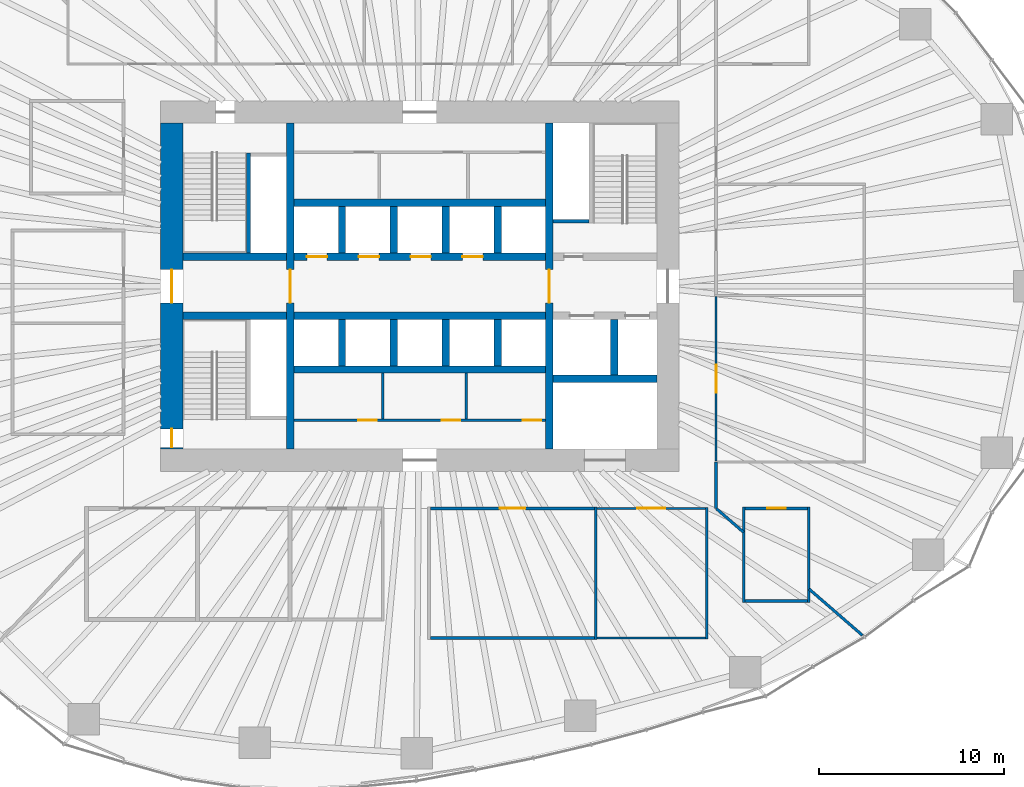
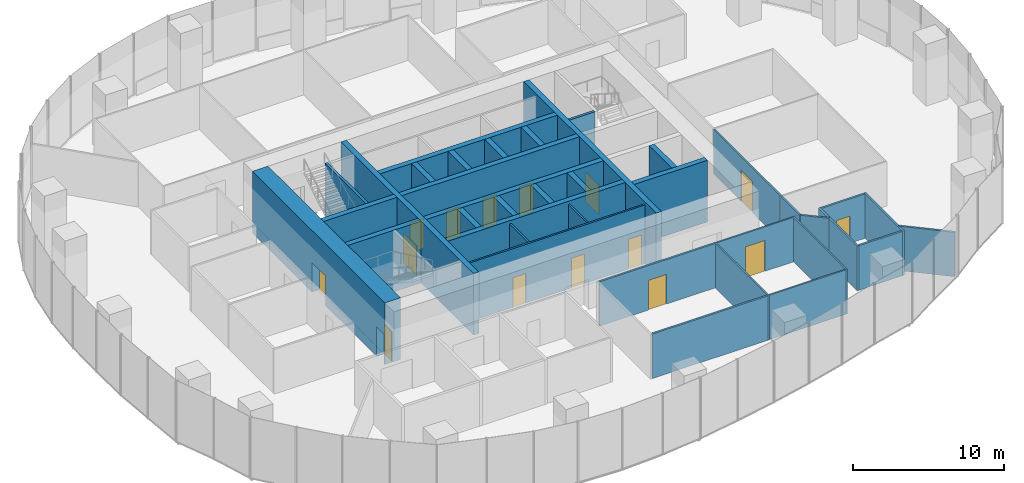
# One storey, part 10 of 20: 38 walls, 15 doors, 15 openings.
"""IFC4 building model written with IfcOpenShell, lengths in metres."""

from ifc_helpers import new_model, si_unit, direction, frame, frame_2d, origin, place, context, subcontext, project, spatial, rectangle, extrude, material, layer, layer_set, type_object, element, fill, save


model = new_model("IFC4")

# Units and contexts
model_context = context("Model", 3, precision=1e-05, world=origin(), true_north=direction((0.0, 1.0)))
body_context = subcontext(model_context, "Body", "Model", "MODEL_VIEW")
ifc_project = project(units=[si_unit("LENGTHUNIT", "METRE"), si_unit("AREAUNIT", "SQUARE_METRE"), si_unit("VOLUMEUNIT", "CUBIC_METRE"), si_unit("PLANEANGLEUNIT", "RADIAN"), si_unit("MASSUNIT", "GRAM", prefix="KILO")], contexts=[model_context])

# Site, building, storey
site_placement = place(None, origin())
site = spatial("IfcSite", under=ifc_project, at=site_placement, CompositionType="ELEMENT")
building_placement = place(site_placement, origin())
building = spatial("IfcBuilding", under=site, at=building_placement, Name="Ghaith Harvest Tower", CompositionType="ELEMENT")
storey_placement = place(building_placement, frame((0.0, 0.0, 60.0)))
storey = spatial("IfcBuildingStorey", under=building, at=storey_placement, Name="L12", CompositionType="ELEMENT", Elevation=60.0)

# Wall, openings, doors
ifc_material_1 = material(Name="Concrete blockwork, fair-faced", Category="masonry")
ifc_layer_1 = layer(ifc_material_1, 0.139892578125)
ifc_layer_set_1 = layer_set([ifc_layer_1], Name="CORE PARTITION 140")
wall_type_1 = type_object("IfcWallType", Name="CORE PARTITION 140", PredefinedType="PARTITIONING", material=ifc_layer_set_1)
wall_1_placement = place(storey_placement, frame((-6.800048828125, -7.22998046875, 0.0), z_axis=(0.0, 0.0, 1.0), x_axis=(1.0, 0.0, 0.0)))
wall_1 = element("IfcWall", 1, at=wall_1_placement, inside=storey, type_object=wall_type_1, Name="Core partition L12", PredefinedType="PARTITIONING", context=body_context, shape_type="SweptSolid", body=[
    extrude(rectangle(XDim=13.60009765625, YDim=0.139892578125, at=frame_2d((6.800048828125, 0.0))), origin(), (0.0, 0.0, 1.0), 4.75),
])
opening_1_placement = place(wall_1_placement, frame((3.47998046875, 0.0, 0.0)))
opening_1 = element("IfcOpeningElement", 2, at=opening_1_placement, cuts=wall_1, Name="Opening 12-011", PredefinedType="OPENING", context=body_context, shape_type="SweptSolid", body=[
    extrude(rectangle(XDim=1.0, YDim=2.39990234375, at=frame_2d((0.5, 1.199951171875))), frame((0.0, 0.080078125, 0.0), z_axis=(0.0, -1.0, 0.0), x_axis=(1.0, 0.0, 0.0)), (0.0, 0.0, 1.0), 0.159912109375),
])
opening_2_placement = place(wall_1_placement, frame((7.97998046875, 0.0, 0.0)))
opening_2 = element("IfcOpeningElement", 3, at=opening_2_placement, cuts=wall_1, Name="Opening 12-012", PredefinedType="OPENING", context=body_context, shape_type="SweptSolid", body=[
    extrude(rectangle(XDim=1.0, YDim=2.39990234375, at=frame_2d((0.5, 1.199951171875))), frame((0.0, 0.080078125, 0.0), z_axis=(0.0, -1.0, 0.0), x_axis=(1.0, 0.0, 0.0)), (0.0, 0.0, 1.0), 0.159912109375),
])
opening_3_placement = place(wall_1_placement, frame((12.35009765625, 0.0, 0.0)))
opening_3 = element("IfcOpeningElement", 4, at=opening_3_placement, cuts=wall_1, Name="Opening 12-013", PredefinedType="OPENING", context=body_context, shape_type="SweptSolid", body=[
    extrude(rectangle(XDim=1.0, YDim=2.39990234375, at=frame_2d((0.5, 1.199951171875))), frame((0.0, 0.080078125, 0.0), z_axis=(0.0, -1.0, 0.0), x_axis=(1.0, 0.0, 0.0)), (0.0, 0.0, 1.0), 0.159912109375),
])
ifc_material_2 = material(Name="Steel fire door", Category="steel")
door_type_1 = type_object("IfcDoorType", Name="D3 FD90 1000x2400", OperationType="SINGLE_SWING_LEFT", PredefinedType="DOOR", material=ifc_material_2)
door_1_placement = place(opening_1_placement, origin())
door_1 = element("IfcDoor", 5, at=door_1_placement, inside=storey, type_object=door_type_1, Name="Electrical room door", OperationType="SINGLE_SWING_LEFT", OverallHeight=2.39990234375, OverallWidth=1.0, PredefinedType="DOOR", context=body_context, shape_type="SweptSolid", body=[
    extrude(rectangle(XDim=1.0, YDim=2.39990234375, at=frame_2d((0.5, 1.199951171875))), frame((0.0, 0.02490234375, 0.0), z_axis=(0.0, -1.0, 0.0), x_axis=(1.0, 0.0, 0.0)), (0.0, 0.0, 1.0), 0.050048828125),
])
fill(opening_1, door_1)
door_2_placement = place(opening_2_placement, origin())
door_2 = element("IfcDoor", 6, at=door_2_placement, inside=storey, type_object=door_type_1, Name="Communications equipment room door", OperationType="SINGLE_SWING_RIGHT", OverallHeight=2.39990234375, OverallWidth=1.0, PredefinedType="DOOR", context=body_context, shape_type="SweptSolid", body=[
    extrude(rectangle(XDim=1.0, YDim=2.39990234375, at=frame_2d((0.5, 1.199951171875))), frame((0.0, 0.02490234375, 0.0), z_axis=(0.0, -1.0, 0.0), x_axis=(1.0, 0.0, 0.0)), (0.0, 0.0, 1.0), 0.050048828125),
])
fill(opening_2, door_2)
door_3_placement = place(opening_3_placement, origin())
door_3 = element("IfcDoor", 7, at=door_3_placement, inside=storey, type_object=door_type_1, Name="Riser room door", OperationType="SINGLE_SWING_RIGHT", OverallHeight=2.39990234375, OverallWidth=1.0, PredefinedType="DOOR", context=body_context, shape_type="SweptSolid", body=[
    extrude(rectangle(XDim=1.0, YDim=2.39990234375, at=frame_2d((0.5, 1.199951171875))), frame((0.0, 0.02490234375, 0.0), z_axis=(0.0, -1.0, 0.0), x_axis=(1.0, 0.0, 0.0)), (0.0, 0.0, 1.0), 0.050048828125),
])
fill(opening_3, door_3)

# Walls
for number, where, z_axis, x_axis, name in (
    (8, (-2.0, -4.699951171875, 0.0), (0.0, 0.0, 1.0), (0.0, -1.0, 0.0), "Core partition L12"),
    (9, (2.5, -4.699951171875, 0.0), (0.0, 0.0, 1.0), (0.0, -1.0, 0.0), "Core partition L12"),
):
    element("IfcWall", number, at=place(storey_placement, frame(where, z_axis=z_axis, x_axis=x_axis)), inside=storey, type_object=wall_type_1, Name=name, PredefinedType="PARTITIONING", context=body_context, shape_type="SweptSolid", body=[
        extrude(rectangle(XDim=2.4599609375, YDim=0.139892578125, at=frame_2d((1.22998046875, 0.0))), origin(), (0.0, 0.0, 1.0), 4.75),
    ])

# Wall, openings, doors
ifc_material_3 = material(Name="Concrete C70/85", Category="concrete")
ifc_layer_2 = layer(ifc_material_3, 1.199951171875)
ifc_layer_set_2 = layer_set([ifc_layer_2], Name="CORE WALL CW1200")
wall_type_2 = type_object("IfcWallType", Name="CORE WALL CW1200", PredefinedType="SHEAR", material=ifc_layer_set_2)
wall_2_placement = place(storey_placement, frame((-13.39990234375, 8.800048828125, 0.0), z_axis=(0.0, 0.0, 1.0), x_axis=(0.0, -1.0, 0.0)))
wall_2 = element("IfcWall", 10, at=wall_2_placement, inside=storey, type_object=wall_type_2, Name="Core wall W L12", PredefinedType="SHEAR", context=body_context, shape_type="SweptSolid", body=[
    extrude(rectangle(XDim=17.60009765625, YDim=1.199951171875, at=frame_2d((8.800048828125, 0.0))), origin(), (0.0, 0.0, 1.0), 5.0),
])
opening_4_placement = place(wall_2_placement, frame((7.89990234375, 0.0, 0.0)))
opening_4 = element("IfcOpeningElement", 11, at=opening_4_placement, cuts=wall_2, Name="Opening 12-001", PredefinedType="OPENING", context=body_context, shape_type="SweptSolid", body=[
    extrude(rectangle(XDim=1.800048828125, YDim=2.39990234375, at=frame_2d((0.89990234375, 1.199951171875))), frame((0.0, 0.60986328125, 0.0), z_axis=(0.0, -1.0, 0.0), x_axis=(1.0, 0.0, 0.0)), (0.0, 0.0, 1.0), 1.219970703125),
])
opening_5_placement = place(wall_2_placement, frame((16.5, 0.0, 0.0)))
opening_5 = element("IfcOpeningElement", 12, at=opening_5_placement, cuts=wall_2, Name="Opening 12-006", PredefinedType="OPENING", context=body_context, shape_type="SweptSolid", body=[
    extrude(rectangle(XDim=1.0, YDim=2.39990234375, at=frame_2d((0.5, 1.199951171875))), frame((0.0, 0.60986328125, 0.0), z_axis=(0.0, -1.0, 0.0), x_axis=(1.0, 0.0, 0.0)), (0.0, 0.0, 1.0), 1.219970703125),
])
door_4_placement = place(opening_5_placement, origin())
door_4 = element("IfcDoor", 13, at=door_4_placement, inside=storey, type_object=door_type_1, Name="Stair ST3 door", OperationType="SINGLE_SWING_RIGHT", OverallHeight=2.39990234375, OverallWidth=1.0, PredefinedType="DOOR", context=body_context, shape_type="SweptSolid", body=[
    extrude(rectangle(XDim=1.0, YDim=2.39990234375, at=frame_2d((0.5, 1.199951171875))), frame((0.0, 0.02490234375, 0.0), z_axis=(0.0, -1.0, 0.0), x_axis=(1.0, 0.0, 0.0)), (0.0, 0.0, 1.0), 0.050048828125),
])
fill(opening_5, door_4)
ifc_material_4 = material(Name="Steel fire door", Category="steel")
door_type_2 = type_object("IfcDoorType", Name="D4 FD90 PAIR 1800x2400", OperationType="DOUBLE_DOOR_SINGLE_SWING", PredefinedType="DOOR", material=ifc_material_4)
door_5_placement = place(opening_4_placement, origin())
door_5 = element("IfcDoor", 14, at=door_5_placement, inside=storey, type_object=door_type_2, Name="West lobby doors", OperationType="DOUBLE_DOOR_SINGLE_SWING", OverallHeight=2.39990234375, OverallWidth=1.800048828125, PredefinedType="DOOR", context=body_context, shape_type="SweptSolid", body=[
    extrude(rectangle(XDim=1.800048828125, YDim=2.39990234375, at=frame_2d((0.89990234375, 1.199951171875))), frame((0.0, 0.02490234375, 0.0), z_axis=(0.0, -1.0, 0.0), x_axis=(1.0, 0.0, 0.0)), (0.0, 0.0, 1.0), 0.050048828125),
])
fill(opening_4, door_5)

# Wall, opening, door
ifc_material_5 = material(Name="Insulated food-grade panel", Category="steel")
ifc_layer_3 = layer(ifc_material_5, 0.1201171875)
ifc_layer_set_3 = layer_set([ifc_layer_3], Name="INSULATED PANEL WALL 120")
wall_type_3 = type_object("IfcWallType", Name="INSULATED PANEL WALL 120", PredefinedType="PARTITIONING", material=ifc_layer_set_3)
wall_3_placement = place(storey_placement, frame((16.0, -9.43994140625, 0.0), z_axis=(0.0, 0.0, 1.0), x_axis=(0.0, 1.0, 0.0)))
wall_3 = element("IfcWall", 15, at=wall_3_placement, inside=storey, type_object=wall_type_3, Name="Partition L12-05", PredefinedType="PARTITIONING", context=body_context, shape_type="SweptSolid", body=[
    extrude(rectangle(XDim=8.8798828125, YDim=0.1201171875, at=frame_2d((4.43994140625, 0.0))), origin(), (0.0, 0.0, 1.0), 3.60009765625),
])
opening_6_placement = place(wall_3_placement, frame((3.68994140625, 0.0, 0.0)))
opening_6 = element("IfcOpeningElement", 16, at=opening_6_placement, cuts=wall_3, Name="Opening 12-027", PredefinedType="OPENING", context=body_context, shape_type="SweptSolid", body=[
    extrude(rectangle(XDim=1.5, YDim=2.5, at=frame_2d((0.75, 1.25))), frame((0.0, 0.070068359375, 0.0), z_axis=(0.0, -1.0, 0.0), x_axis=(1.0, 0.0, 0.0)), (0.0, 0.0, 1.0), 0.14013671875),
])
ifc_material_6 = material(Name="Insulated steel sliding door", Category="steel")
door_type_3 = type_object("IfcDoorType", Name="D13 COLD STORE SLIDING 1500x2500", OperationType="SLIDING_TO_LEFT", PredefinedType="DOOR", material=ifc_material_6)
door_6_placement = place(opening_6_placement, origin())
door_6 = element("IfcDoor", 17, at=door_6_placement, inside=storey, type_object=door_type_3, Name="Herb growing room door", OperationType="SLIDING_TO_LEFT", OverallHeight=2.5, OverallWidth=1.5, PredefinedType="DOOR", context=body_context, shape_type="SweptSolid", body=[
    extrude(rectangle(XDim=1.5, YDim=2.5, at=frame_2d((0.75, 1.25))), frame((0.0, 0.02490234375, 0.0), z_axis=(0.0, -1.0, 0.0), x_axis=(1.0, 0.0, 0.0)), (0.0, 0.0, 1.0), 0.050048828125),
])
fill(opening_6, door_6)

# Walls
wall_4_placement = place(storey_placement, frame((9.5, -11.925048828125, 0.0), z_axis=(0.0, 0.0, 1.0), x_axis=(0.0, -1.0, 0.0)))
element("IfcWall", 18, at=wall_4_placement, inside=storey, type_object=wall_type_3, Name="Partition L12 row S6 cross wall 2", PredefinedType="PARTITIONING", context=body_context, shape_type="SweptSolid", body=[
    extrude(rectangle(XDim=7.14990234375, YDim=0.1201171875, at=frame_2d((3.574951171875, 0.0))), origin(), (0.0, 0.0, 1.0), 3.60009765625),
])
wall_5_placement = place(storey_placement, frame((15.5, -11.93994140625, 0.0), z_axis=(0.0, 0.0, 1.0), x_axis=(0.0, -1.0, 0.0)))
element("IfcWall", 19, at=wall_5_placement, inside=storey, type_object=wall_type_3, Name="Partition L12 row S6 cross wall 3", PredefinedType="PARTITIONING", context=body_context, shape_type="SweptSolid", body=[
    extrude(rectangle(XDim=7.1201171875, YDim=0.1201171875, at=frame_2d((3.56005859375, 0.0))), origin(), (0.0, 0.0, 1.0), 3.60009765625),
])

# Wall, opening, door
wall_6_placement = place(storey_placement, frame((9.56005859375, -12.0, 0.0), z_axis=(0.0, 0.0, 1.0), x_axis=(1.0, 0.0, 0.0)))
wall_6 = element("IfcWall", 20, at=wall_6_placement, inside=storey, type_object=wall_type_3, Name="Partition L12-13", PredefinedType="PARTITIONING", context=body_context, shape_type="SweptSolid", body=[
    extrude(rectangle(XDim=5.8798828125, YDim=0.1201171875, at=frame_2d((2.93994140625, 0.0))), origin(), (0.0, 0.0, 1.0), 3.60009765625),
])
opening_7_placement = place(wall_6_placement, frame((2.18994140625, 0.0, 0.0)))
opening_7 = element("IfcOpeningElement", 21, at=opening_7_placement, cuts=wall_6, Name="Opening 12-035", PredefinedType="OPENING", context=body_context, shape_type="SweptSolid", body=[
    extrude(rectangle(XDim=1.5, YDim=2.5, at=frame_2d((0.75, 1.25))), frame((0.0, 0.070068359375, 0.0), z_axis=(0.0, -1.0, 0.0), x_axis=(1.0, 0.0, 0.0)), (0.0, 0.0, 1.0), 0.14013671875),
])
door_7_placement = place(opening_7_placement, origin())
door_7 = element("IfcDoor", 22, at=door_7_placement, inside=storey, type_object=door_type_3, Name="Cold store door", OperationType="SLIDING_TO_LEFT", OverallHeight=2.5, OverallWidth=1.5, PredefinedType="DOOR", context=body_context, shape_type="SweptSolid", body=[
    extrude(rectangle(XDim=1.5, YDim=2.5, at=frame_2d((0.75, 1.25))), frame((0.0, 0.02490234375, 0.0), z_axis=(0.0, -1.0, 0.0), x_axis=(1.0, 0.0, 0.0)), (0.0, 0.0, 1.0), 0.050048828125),
])
fill(opening_7, door_7)

# Wall
wall_7_placement = place(storey_placement, frame((9.56005859375, -19.0, 0.0), z_axis=(0.0, 0.0, 1.0), x_axis=(1.0, 0.0, 0.0)))
element("IfcWall", 23, at=wall_7_placement, inside=storey, type_object=wall_type_3, Name="Partition L12-13", PredefinedType="PARTITIONING", context=body_context, shape_type="SweptSolid", body=[
    extrude(rectangle(XDim=5.8798828125, YDim=0.1201171875, at=frame_2d((2.93994140625, 0.0))), origin(), (0.0, 0.0, 1.0), 3.60009765625),
])

# Wall, opening, door
ifc_material_7 = material(Name="Gypsum board on steel studs", Category="steel")
ifc_layer_4 = layer(ifc_material_7, 0.14990234375)
ifc_layer_set_4 = layer_set([ifc_layer_4], Name="PARTITION 150")
wall_type_4 = type_object("IfcWallType", Name="PARTITION 150", PredefinedType="PARTITIONING", material=ifc_layer_set_4)
wall_8_placement = place(storey_placement, frame((0.574951171875, -12.0, 0.0), z_axis=(0.0, 0.0, 1.0), x_axis=(1.0, 0.0, 0.0)))
wall_8 = element("IfcWall", 24, at=wall_8_placement, inside=storey, type_object=wall_type_4, Name="Partition L12-12", PredefinedType="PARTITIONING", context=body_context, shape_type="SweptSolid", body=[
    extrude(rectangle(XDim=8.864990234375, YDim=0.14990234375, at=frame_2d((4.4326171875, 0.0))), origin(), (0.0, 0.0, 1.0), 3.60009765625),
])
opening_8_placement = place(wall_8_placement, frame((3.732421875, 0.0, 0.0)))
opening_8 = element("IfcOpeningElement", 25, at=opening_8_placement, cuts=wall_8, Name="Opening 12-034", PredefinedType="OPENING", context=body_context, shape_type="SweptSolid", body=[
    extrude(rectangle(XDim=1.39990234375, YDim=2.39990234375, at=frame_2d((0.699951171875, 1.199951171875))), frame((0.0, 0.0849609375, 0.0), z_axis=(0.0, -1.0, 0.0), x_axis=(1.0, 0.0, 0.0)), (0.0, 0.0, 1.0), 0.169921875),
])
ifc_material_8 = material(Name="Stainless steel faced door pair", Category="steel")
door_type_4 = type_object("IfcDoorType", Name="D14 HYGIENE PAIR 1400x2400", OperationType="DOUBLE_DOOR_DOUBLE_SWING", PredefinedType="DOOR", material=ifc_material_8)
door_8_placement = place(opening_8_placement, origin())
door_8 = element("IfcDoor", 26, at=door_8_placement, inside=storey, type_object=door_type_4, Name="Packing room door", OperationType="DOUBLE_DOOR_DOUBLE_SWING", OverallHeight=2.39990234375, OverallWidth=1.39990234375, PredefinedType="DOOR", context=body_context, shape_type="SweptSolid", body=[
    extrude(rectangle(XDim=1.39990234375, YDim=2.39990234375, at=frame_2d((0.699951171875, 1.199951171875))), frame((0.0, 0.02490234375, 0.0), z_axis=(0.0, -1.0, 0.0), x_axis=(1.0, 0.0, 0.0)), (0.0, 0.0, 1.0), 0.050048828125),
])
fill(opening_8, door_8)

# Walls
wall_9_placement = place(storey_placement, frame((0.574951171875, -19.0, 0.0), z_axis=(0.0, 0.0, 1.0), x_axis=(1.0, 0.0, 0.0)))
element("IfcWall", 27, at=wall_9_placement, inside=storey, type_object=wall_type_4, Name="Partition L12-12", PredefinedType="PARTITIONING", context=body_context, shape_type="SweptSolid", body=[
    extrude(rectangle(XDim=8.864990234375, YDim=0.14990234375, at=frame_2d((4.4326171875, 0.0))), origin(), (0.0, 0.0, 1.0), 3.60009765625),
])
for number, where, z_axis, x_axis, name in (
    (28, (17.5, -11.925048828125, 0.0), (0.0, 0.0, 1.0), (0.0, -1.0, 0.0), "Partition L12 row S8 cross wall 1"),
    (29, (21.0, -11.925048828125, 0.0), (0.0, 0.0, 1.0), (0.0, -1.0, 0.0), "Partition L12 row S8 cross wall 2"),
):
    element("IfcWall", number, at=place(storey_placement, frame(where, z_axis=z_axis, x_axis=x_axis)), inside=storey, type_object=wall_type_4, Name=name, PredefinedType="PARTITIONING", context=body_context, shape_type="SweptSolid", body=[
        extrude(rectangle(XDim=5.14990234375, YDim=0.14990234375, at=frame_2d((2.574951171875, 0.0))), origin(), (0.0, 0.0, 1.0), 3.60009765625),
    ])

# Wall, opening, door
wall_10_placement = place(storey_placement, frame((17.574951171875, -12.0, 0.0), z_axis=(0.0, 0.0, 1.0), x_axis=(1.0, 0.0, 0.0)))
wall_10 = element("IfcWall", 30, at=wall_10_placement, inside=storey, type_object=wall_type_4, Name="Partition L12-15", PredefinedType="PARTITIONING", context=body_context, shape_type="SweptSolid", body=[
    extrude(rectangle(XDim=3.35009765625, YDim=0.14990234375, at=frame_2d((1.675048828125, 0.0))), origin(), (0.0, 0.0, 1.0), 3.60009765625),
])
opening_9_placement = place(wall_10_placement, frame((1.175048828125, 0.0, 0.0)))
opening_9 = element("IfcOpeningElement", 31, at=opening_9_placement, cuts=wall_10, Name="Opening 12-037", PredefinedType="OPENING", context=body_context, shape_type="SweptSolid", body=[
    extrude(rectangle(XDim=1.0, YDim=2.199951171875, at=frame_2d((0.5, 1.10009765625))), frame((0.0, 0.0849609375, 0.0), z_axis=(0.0, -1.0, 0.0), x_axis=(1.0, 0.0, 0.0)), (0.0, 0.0, 1.0), 0.169921875),
])
ifc_material_9 = material(Name="Timber door", Category="wood")
door_type_5 = type_object("IfcDoorType", Name="D1 SINGLE 1000x2200", OperationType="SINGLE_SWING_LEFT", PredefinedType="DOOR", material=ifc_material_9)
door_9_placement = place(opening_9_placement, origin())
door_9 = element("IfcDoor", 32, at=door_9_placement, inside=storey, type_object=door_type_5, Name="Store door", OperationType="SINGLE_SWING_LEFT", OverallHeight=2.199951171875, OverallWidth=1.0, PredefinedType="DOOR", context=body_context, shape_type="SweptSolid", body=[
    extrude(rectangle(XDim=1.0, YDim=2.199951171875, at=frame_2d((0.5, 1.10009765625))), frame((0.0, 0.02490234375, 0.0), z_axis=(0.0, -1.0, 0.0), x_axis=(1.0, 0.0, 0.0)), (0.0, 0.0, 1.0), 0.050048828125),
])
fill(opening_9, door_9)

# Walls
wall_11_placement = place(storey_placement, frame((17.574951171875, -17.0, 0.0), z_axis=(0.0, 0.0, 1.0), x_axis=(1.0, 0.0, 0.0)))
element("IfcWall", 33, at=wall_11_placement, inside=storey, type_object=wall_type_4, Name="Partition L12-15", PredefinedType="PARTITIONING", context=body_context, shape_type="SweptSolid", body=[
    extrude(rectangle(XDim=3.35009765625, YDim=0.14990234375, at=frame_2d((1.675048828125, 0.0))), origin(), (0.0, 0.0, 1.0), 3.60009765625),
])
wall_12_placement = place(storey_placement, frame((21.02001953125, -16.35400390625, 0.0), z_axis=(0.0, 0.0, 1.0), x_axis=(0.755425653008, -0.655234372402, 0.0)))
element("IfcWall", 34, at=wall_12_placement, inside=storey, type_object=wall_type_4, Name="Partition L12 zone division", PredefinedType="PARTITIONING", context=body_context, shape_type="SweptSolid", body=[
    extrude(rectangle(XDim=3.8232421875, YDim=0.14990234375, at=frame_2d((1.91162109375, 0.0))), origin(), (0.0, 0.0, 1.0), 3.60009765625),
])
wall_13_placement = place(storey_placement, frame((16.01513671875, -12.01318359375, 0.0), z_axis=(0.0, 0.0, 1.0), x_axis=(0.755439771284, -0.65521809496, 0.0)))
element("IfcWall", 35, at=wall_13_placement, inside=storey, type_object=wall_type_4, Name="Partition L12 zone division", PredefinedType="PARTITIONING", context=body_context, shape_type="SweptSolid", body=[
    extrude(rectangle(XDim=1.93896484375, YDim=0.14990234375, at=frame_2d((0.969482421875, 0.0))), origin(), (0.0, 0.0, 1.0), 3.60009765625),
])
wall_14_placement = place(storey_placement, frame((16.0, -12.0, 0.0), z_axis=(0.0, 0.0, 1.0), x_axis=(0.0, 1.0, 0.0)))
element("IfcWall", 36, at=wall_14_placement, inside=storey, type_object=wall_type_4, Name="Partition L12 zone enclosure", PredefinedType="PARTITIONING", context=body_context, shape_type="SweptSolid", body=[
    extrude(rectangle(XDim=2.5, YDim=0.14990234375, at=frame_2d((1.25, 0.0))), origin(), (0.0, 0.0, 1.0), 3.60009765625),
])

# Wall, opening, door
ifc_material_10 = material(Name="Concrete C70/85", Category="concrete")
ifc_layer_5 = layer(ifc_material_10, 0.39990234375)
ifc_layer_set_5 = layer_set([ifc_layer_5], Name="SHAFT WALL 400")
wall_type_5 = type_object("IfcWallType", Name="SHAFT WALL 400", PredefinedType="SHEAR", material=ifc_layer_set_5)
wall_15_placement = place(storey_placement, frame((-7.0, -8.800048828125, 0.0), z_axis=(0.0, 0.0, 1.0), x_axis=(0.0, 1.0, 0.0)))
wall_15 = element("IfcWall", 37, at=wall_15_placement, inside=storey, type_object=wall_type_5, Name="Shaft wall W7W L12", PredefinedType="SHEAR", context=body_context, shape_type="SweptSolid", body=[
    extrude(rectangle(XDim=17.60009765625, YDim=0.39990234375, at=frame_2d((8.800048828125, 0.0))), origin(), (0.0, 0.0, 1.0), 5.0),
])
opening_10_placement = place(wall_15_placement, frame((7.89990234375, 0.0, 0.0)))
opening_10 = element("IfcOpeningElement", 38, at=opening_10_placement, cuts=wall_15, Name="Opening 12-003", PredefinedType="OPENING", context=body_context, shape_type="SweptSolid", body=[
    extrude(rectangle(XDim=1.800048828125, YDim=2.39990234375, at=frame_2d((0.89990234375, 1.199951171875))), frame((0.0, 0.2099609375, 0.0), z_axis=(0.0, -1.0, 0.0), x_axis=(1.0, 0.0, 0.0)), (0.0, 0.0, 1.0), 0.419921875),
])
door_10_placement = place(opening_10_placement, origin())
door_10 = element("IfcDoor", 39, at=door_10_placement, inside=storey, type_object=door_type_2, Name="Lift lobby doors, west", OperationType="DOUBLE_DOOR_SINGLE_SWING", OverallHeight=2.39990234375, OverallWidth=1.800048828125, PredefinedType="DOOR", context=body_context, shape_type="SweptSolid", body=[
    extrude(rectangle(XDim=1.800048828125, YDim=2.39990234375, at=frame_2d((0.89990234375, 1.199951171875))), frame((0.0, 0.02490234375, 0.0), z_axis=(0.0, -1.0, 0.0), x_axis=(1.0, 0.0, 0.0)), (0.0, 0.0, 1.0), 0.050048828125),
])
fill(opening_10, door_10)

wall_16_placement = place(storey_placement, frame((7.0, -8.800048828125, 0.0), z_axis=(0.0, 0.0, 1.0), x_axis=(0.0, 1.0, 0.0)))
wall_16 = element("IfcWall", 40, at=wall_16_placement, inside=storey, type_object=wall_type_5, Name="Shaft wall W7E L12", PredefinedType="SHEAR", context=body_context, shape_type="SweptSolid", body=[
    extrude(rectangle(XDim=17.60009765625, YDim=0.39990234375, at=frame_2d((8.800048828125, 0.0))), origin(), (0.0, 0.0, 1.0), 5.0),
])
opening_11_placement = place(wall_16_placement, frame((7.89990234375, 0.0, 0.0)))
opening_11 = element("IfcOpeningElement", 41, at=opening_11_placement, cuts=wall_16, Name="Opening 12-004", PredefinedType="OPENING", context=body_context, shape_type="SweptSolid", body=[
    extrude(rectangle(XDim=1.800048828125, YDim=2.39990234375, at=frame_2d((0.89990234375, 1.199951171875))), frame((0.0, 0.2099609375, 0.0), z_axis=(0.0, -1.0, 0.0), x_axis=(1.0, 0.0, 0.0)), (0.0, 0.0, 1.0), 0.419921875),
])
door_11_placement = place(opening_11_placement, origin())
door_11 = element("IfcDoor", 42, at=door_11_placement, inside=storey, type_object=door_type_2, Name="Lift lobby doors, east", OperationType="DOUBLE_DOOR_SINGLE_SWING", OverallHeight=2.39990234375, OverallWidth=1.800048828125, PredefinedType="DOOR", context=body_context, shape_type="SweptSolid", body=[
    extrude(rectangle(XDim=1.800048828125, YDim=2.39990234375, at=frame_2d((0.89990234375, 1.199951171875))), frame((0.0, 0.02490234375, 0.0), z_axis=(0.0, -1.0, 0.0), x_axis=(1.0, 0.0, 0.0)), (0.0, 0.0, 1.0), 0.050048828125),
])
fill(opening_11, door_11)

# Wall, openings, doors
wall_17_placement = place(storey_placement, frame((-6.800048828125, 1.60009765625, 0.0), z_axis=(0.0, 0.0, 1.0), x_axis=(1.0, 0.0, 0.0)))
wall_17 = element("IfcWall", 43, at=wall_17_placement, inside=storey, type_object=wall_type_5, Name="Shaft wall LN L12", PredefinedType="SHEAR", context=body_context, shape_type="SweptSolid", body=[
    extrude(rectangle(XDim=13.60009765625, YDim=0.39990234375, at=frame_2d((6.800048828125, 0.0))), origin(), (0.0, 0.0, 1.0), 5.0),
])
opening_12_placement = place(wall_17_placement, frame((0.699951171875, 0.0, 0.0)))
opening_12 = element("IfcOpeningElement", 44, at=opening_12_placement, cuts=wall_17, Name="Opening 12-016", PredefinedType="OPENING", context=body_context, shape_type="SweptSolid", body=[
    extrude(rectangle(XDim=1.10009765625, YDim=2.39990234375, at=frame_2d((0.550048828125, 1.199951171875))), frame((0.0, 0.2099609375, 0.0), z_axis=(0.0, -1.0, 0.0), x_axis=(1.0, 0.0, 0.0)), (0.0, 0.0, 1.0), 0.419921875),
])
opening_13_placement = place(wall_17_placement, frame((3.5, 0.0, 0.0)))
opening_13 = element("IfcOpeningElement", 45, at=opening_13_placement, cuts=wall_17, Name="Opening 12-017", PredefinedType="OPENING", context=body_context, shape_type="SweptSolid", body=[
    extrude(rectangle(XDim=1.10009765625, YDim=2.39990234375, at=frame_2d((0.550048828125, 1.199951171875))), frame((0.0, 0.2099609375, 0.0), z_axis=(0.0, -1.0, 0.0), x_axis=(1.0, 0.0, 0.0)), (0.0, 0.0, 1.0), 0.419921875),
])
opening_14_placement = place(wall_17_placement, frame((6.300048828125, 0.0, 0.0)))
opening_14 = element("IfcOpeningElement", 46, at=opening_14_placement, cuts=wall_17, Name="Opening 12-018", PredefinedType="OPENING", context=body_context, shape_type="SweptSolid", body=[
    extrude(rectangle(XDim=1.10009765625, YDim=2.39990234375, at=frame_2d((0.550048828125, 1.199951171875))), frame((0.0, 0.2099609375, 0.0), z_axis=(0.0, -1.0, 0.0), x_axis=(1.0, 0.0, 0.0)), (0.0, 0.0, 1.0), 0.419921875),
])
opening_15_placement = place(wall_17_placement, frame((9.10009765625, 0.0, 0.0)))
opening_15 = element("IfcOpeningElement", 47, at=opening_15_placement, cuts=wall_17, Name="Opening 12-019", PredefinedType="OPENING", context=body_context, shape_type="SweptSolid", body=[
    extrude(rectangle(XDim=1.10009765625, YDim=2.39990234375, at=frame_2d((0.550048828125, 1.199951171875))), frame((0.0, 0.2099609375, 0.0), z_axis=(0.0, -1.0, 0.0), x_axis=(1.0, 0.0, 0.0)), (0.0, 0.0, 1.0), 0.419921875),
])
ifc_material_11 = material(Name="Steel fire door", Category="steel")
door_type_6 = type_object("IfcDoorType", Name="LD1 LANDING 1100x2400", OperationType="DOUBLE_DOOR_SLIDING", PredefinedType="DOOR", material=ifc_material_11)
door_12_placement = place(opening_12_placement, origin())
door_12 = element("IfcDoor", 48, at=door_12_placement, inside=storey, type_object=door_type_6, Name="Landing door, lift FA1", OperationType="DOUBLE_DOOR_SLIDING", OverallHeight=2.39990234375, OverallWidth=1.10009765625, PredefinedType="DOOR", context=body_context, shape_type="SweptSolid", body=[
    extrude(rectangle(XDim=1.10009765625, YDim=2.39990234375, at=frame_2d((0.550048828125, 1.199951171875))), frame((0.0, 0.02490234375, 0.0), z_axis=(0.0, -1.0, 0.0), x_axis=(1.0, 0.0, 0.0)), (0.0, 0.0, 1.0), 0.050048828125),
])
fill(opening_12, door_12)
door_13_placement = place(opening_13_placement, origin())
door_13 = element("IfcDoor", 49, at=door_13_placement, inside=storey, type_object=door_type_6, Name="Landing door, lift FA2", OperationType="DOUBLE_DOOR_SLIDING", OverallHeight=2.39990234375, OverallWidth=1.10009765625, PredefinedType="DOOR", context=body_context, shape_type="SweptSolid", body=[
    extrude(rectangle(XDim=1.10009765625, YDim=2.39990234375, at=frame_2d((0.550048828125, 1.199951171875))), frame((0.0, 0.02490234375, 0.0), z_axis=(0.0, -1.0, 0.0), x_axis=(1.0, 0.0, 0.0)), (0.0, 0.0, 1.0), 0.050048828125),
])
fill(opening_13, door_13)
door_14_placement = place(opening_14_placement, origin())
door_14 = element("IfcDoor", 50, at=door_14_placement, inside=storey, type_object=door_type_6, Name="Landing door, lift FA3", OperationType="DOUBLE_DOOR_SLIDING", OverallHeight=2.39990234375, OverallWidth=1.10009765625, PredefinedType="DOOR", context=body_context, shape_type="SweptSolid", body=[
    extrude(rectangle(XDim=1.10009765625, YDim=2.39990234375, at=frame_2d((0.550048828125, 1.199951171875))), frame((0.0, 0.02490234375, 0.0), z_axis=(0.0, -1.0, 0.0), x_axis=(1.0, 0.0, 0.0)), (0.0, 0.0, 1.0), 0.050048828125),
])
fill(opening_14, door_14)
door_15_placement = place(opening_15_placement, origin())
door_15 = element("IfcDoor", 51, at=door_15_placement, inside=storey, type_object=door_type_6, Name="Landing door, lift FA4", OperationType="DOUBLE_DOOR_SLIDING", OverallHeight=2.39990234375, OverallWidth=1.10009765625, PredefinedType="DOOR", context=body_context, shape_type="SweptSolid", body=[
    extrude(rectangle(XDim=1.10009765625, YDim=2.39990234375, at=frame_2d((0.550048828125, 1.199951171875))), frame((0.0, 0.02490234375, 0.0), z_axis=(0.0, -1.0, 0.0), x_axis=(1.0, 0.0, 0.0)), (0.0, 0.0, 1.0), 0.050048828125),
])
fill(opening_15, door_15)

# Walls
for number, where, z_axis, x_axis, name in (
    (52, (-6.800048828125, -1.60009765625, 0.0), (0.0, 0.0, 1.0), (1.0, 0.0, 0.0), "Shaft wall LS L12"),
    (53, (-6.800048828125, 4.5, 0.0), (0.0, 0.0, 1.0), (1.0, 0.0, 0.0), "Shaft wall BN L12"),
    (54, (-6.800048828125, -4.5, 0.0), (0.0, 0.0, 1.0), (1.0, 0.0, 0.0), "Shaft wall BS L12"),
):
    element("IfcWall", number, at=place(storey_placement, frame(where, z_axis=z_axis, x_axis=x_axis)), inside=storey, type_object=wall_type_5, Name=name, PredefinedType="SHEAR", context=body_context, shape_type="SweptSolid", body=[
        extrude(rectangle(XDim=13.60009765625, YDim=0.39990234375, at=frame_2d((6.800048828125, 0.0))), origin(), (0.0, 0.0, 1.0), 5.0),
    ])
for number, where, z_axis, x_axis, name in (
    (55, (-12.800048828125, 1.60009765625, 0.0), (0.0, 0.0, 1.0), (1.0, 0.0, 0.0), "Shaft wall WN L12"),
    (56, (-12.800048828125, -1.60009765625, 0.0), (0.0, 0.0, 1.0), (1.0, 0.0, 0.0), "Shaft wall WS L12"),
):
    element("IfcWall", number, at=place(storey_placement, frame(where, z_axis=z_axis, x_axis=x_axis)), inside=storey, type_object=wall_type_5, Name=name, PredefinedType="SHEAR", context=body_context, shape_type="SweptSolid", body=[
        extrude(rectangle(XDim=5.60009765625, YDim=0.39990234375, at=frame_2d((2.800048828125, 0.0))), origin(), (0.0, 0.0, 1.0), 5.0),
    ])
wall_18_placement = place(storey_placement, frame((10.5, -4.800048828125, 0.0), z_axis=(0.0, 0.0, 1.0), x_axis=(0.0, 1.0, 0.0)))
element("IfcWall", 57, at=wall_18_placement, inside=storey, type_object=wall_type_5, Name="Shaft wall FLD L12", PredefinedType="SHEAR", context=body_context, shape_type="SweptSolid", body=[
    extrude(rectangle(XDim=3.0, YDim=0.39990234375, at=frame_2d((1.5, 0.0))), origin(), (0.0, 0.0, 1.0), 5.0),
])
wall_19_placement = place(storey_placement, frame((7.199951171875, -5.0, 0.0), z_axis=(0.0, 0.0, 1.0), x_axis=(1.0, 0.0, 0.0)))
element("IfcWall", 58, at=wall_19_placement, inside=storey, type_object=wall_type_5, Name="Shaft wall FLB L12", PredefinedType="SHEAR", context=body_context, shape_type="SweptSolid", body=[
    extrude(rectangle(XDim=5.60009765625, YDim=0.39990234375, at=frame_2d((2.800048828125, 0.0))), origin(), (0.0, 0.0, 1.0), 5.0),
])
for number, where, z_axis, x_axis, name in (
    (59, (-4.199951171875, 1.800048828125, 0.0), (0.0, 0.0, 1.0), (0.0, 1.0, 0.0), "Shaft wall DN1 L12"),
    (60, (-4.199951171875, -4.300048828125, 0.0), (0.0, 0.0, 1.0), (0.0, 1.0, 0.0), "Shaft wall DS1 L12"),
    (61, (-1.39990234375, 1.800048828125, 0.0), (0.0, 0.0, 1.0), (0.0, 1.0, 0.0), "Shaft wall DN2 L12"),
    (62, (-1.39990234375, -4.300048828125, 0.0), (0.0, 0.0, 1.0), (0.0, 1.0, 0.0), "Shaft wall DS2 L12"),
    (63, (1.39990234375, 1.800048828125, 0.0), (0.0, 0.0, 1.0), (0.0, 1.0, 0.0), "Shaft wall DN3 L12"),
    (64, (1.39990234375, -4.300048828125, 0.0), (0.0, 0.0, 1.0), (0.0, 1.0, 0.0), "Shaft wall DS3 L12"),
    (65, (4.199951171875, 1.800048828125, 0.0), (0.0, 0.0, 1.0), (0.0, 1.0, 0.0), "Shaft wall DN4 L12"),
    (66, (4.199951171875, -4.300048828125, 0.0), (0.0, 0.0, 1.0), (0.0, 1.0, 0.0), "Shaft wall DS4 L12"),
):
    element("IfcWall", number, at=place(storey_placement, frame(where, z_axis=z_axis, x_axis=x_axis)), inside=storey, type_object=wall_type_5, Name=name, PredefinedType="SHEAR", context=body_context, shape_type="SweptSolid", body=[
        extrude(rectangle(XDim=2.5, YDim=0.39990234375, at=frame_2d((1.25, 0.0))), origin(), (0.0, 0.0, 1.0), 5.0),
    ])
ifc_material_12 = material(Name="Concrete C40/50", Category="concrete")
ifc_layer_6 = layer(ifc_material_12, 0.199951171875)
ifc_layer_set_6 = layer_set([ifc_layer_6], Name="STAIR SPINE WALL RC200")
wall_type_6 = type_object("IfcWallType", Name="STAIR SPINE WALL RC200", PredefinedType="SOLIDWALL", material=ifc_layer_set_6)
wall_20_placement = place(storey_placement, frame((-9.25, 7.199951171875, 0.0), z_axis=(0.0, 0.0, 1.0), x_axis=(0.0, -1.0, 0.0)))
element("IfcWall", 67, at=wall_20_placement, inside=storey, type_object=wall_type_6, Name="Stair ST1 spine wall L12", PredefinedType="SOLIDWALL", context=body_context, shape_type="SweptSolid", body=[
    extrude(rectangle(XDim=5.39990234375, YDim=0.199951171875, at=frame_2d((2.699951171875, 0.0))), origin(), (0.0, 0.0, 1.0), 5.0),
])
wall_21_placement = place(storey_placement, frame((9.14990234375, 3.5, 0.0), z_axis=(0.0, 0.0, 1.0), x_axis=(-1.0, 0.0, 0.0)))
element("IfcWall", 68, at=wall_21_placement, inside=storey, type_object=wall_type_6, Name="Stair ST2 spine wall return L12", PredefinedType="SOLIDWALL", context=body_context, shape_type="SweptSolid", body=[
    extrude(rectangle(XDim=1.949951171875, YDim=0.199951171875, at=frame_2d((0.97509765625, 0.0))), origin(), (0.0, 0.0, 1.0), 5.0),
])

save(model, "model.ifc")
